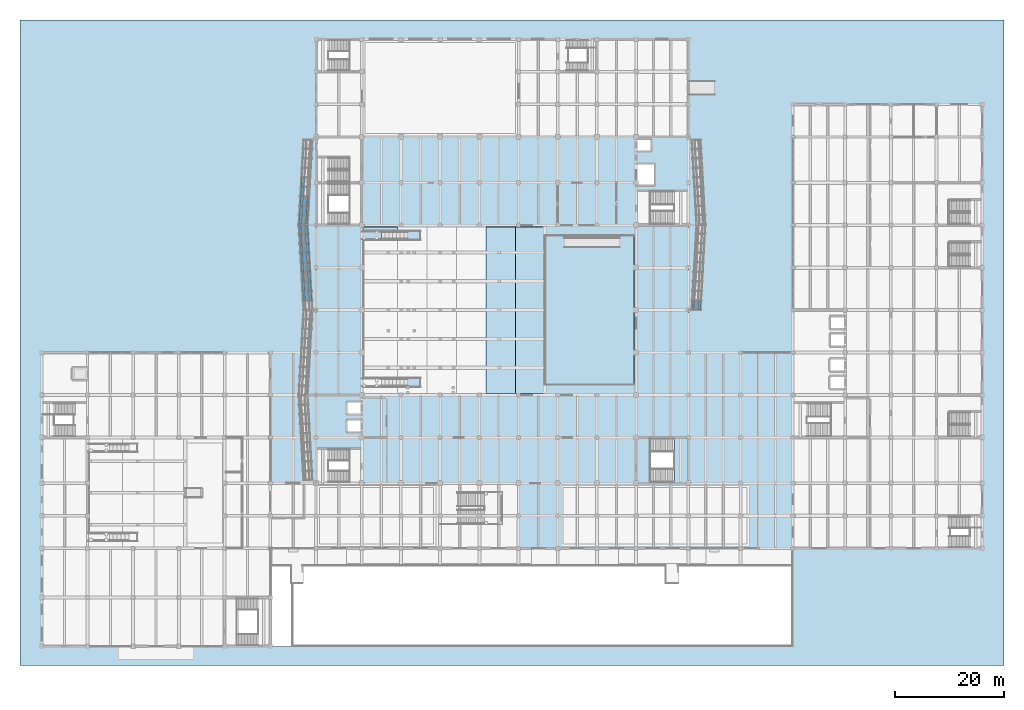
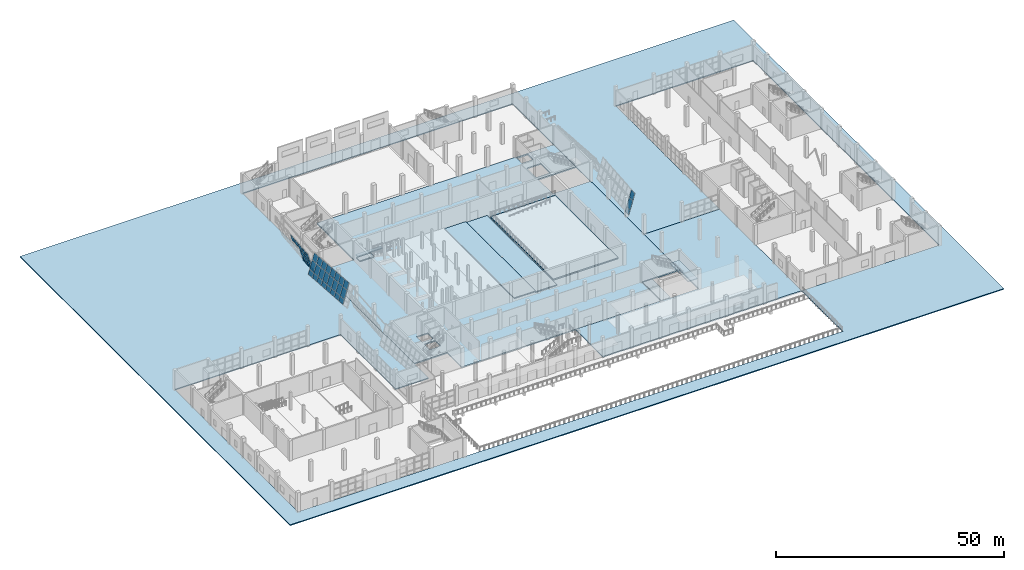
# One storey, part 50 of 78: 38 plates, 10 slabs, 4 elements without a shape of their own.
"""IFC4 building model written with IfcOpenShell, lengths in metres."""

from ifc_helpers import new_model, si_unit, direction, frame, origin, place, context, subcontext, project, spatial, polyline, outline, extrude, material, layer, layer_set, type_object, element, aggregate, save


model = new_model("IFC4")

# Units and contexts
model_context = context("Model", 3, precision=1e-05, world=origin(), true_north=direction((0.0, 1.0)))
body_context = subcontext(model_context, "Body", "Model", "MODEL_VIEW")
ifc_project = project(units=[si_unit("LENGTHUNIT", "METRE"), si_unit("AREAUNIT", "SQUARE_METRE"), si_unit("VOLUMEUNIT", "CUBIC_METRE"), si_unit("PLANEANGLEUNIT", "RADIAN"), si_unit("MASSUNIT", "GRAM", prefix="KILO")], contexts=[model_context])

# Site, building, storey
site_placement = place(None, origin())
site = spatial("IfcSite", under=ifc_project, at=site_placement, CompositionType="ELEMENT")
building_placement = place(site_placement, origin())
building = spatial("IfcBuilding", under=site, at=building_placement, Name="Pellamere Symphony Hall", CompositionType="ELEMENT")
storey_placement = place(building_placement, origin())
storey = spatial("IfcBuildingStorey", under=building, at=storey_placement, Name="L00", CompositionType="ELEMENT", Elevation=0.0)

# Curtain wall, plates
ifc_material_1 = material(Name="Thermally Broken Anodised Aluminium 6063-T6 Curtain Wall", Category="aluminium")
curtain_wall_type = type_object("IfcCurtainWallType", Name="Curtain Wall CW-01 (Tilted Faceted Crystal Low-Iron Curtain Wall)", PredefinedType="NOTDEFINED", material=ifc_material_1)
curtain_wall_1_placement = place(storey_placement, origin())
curtain_wall_1 = element("IfcCurtainWall", 1, at=curtain_wall_1_placement, inside=storey, type_object=curtain_wall_type, Name="Crystal Faceted Curtain Wall CW-CR08 (L00)", PredefinedType="NOTDEFINED")
ifc_material_2 = material(Name="Pre-Weathered Quartz-Zinc Faceted Cladding Cassette", Category="aluminium")
ifc_layer_1 = layer(ifc_material_2, 0.0400390625, Name="Pre-Weathered Quartz-Zinc Faceted Cladding Cassette")
ifc_layer_set_1 = layer_set([ifc_layer_1], Name="Pre-Weathered Quartz-Zinc Faceted Cladding Cassette")
plate_type_1 = type_object("IfcPlateType", Name="Facade Panel CL-01 40mm", PredefinedType="CURTAIN_PANEL", material=ifc_layer_set_1)
plate_1_placement = place(storey_placement, frame((119.4755859375, 61.874755859375, 0.072021484375), z_axis=(-0.957343342759, 0.054840338061, 0.28370100704), x_axis=(0.057190120561, 0.998363305671, 0.0)))
plate_1 = element("IfcPlate", 2, at=plate_1_placement, type_object=plate_type_1, Name="CW1-012 crystal glass panel 1.1", PredefinedType="CURTAIN_PANEL", context=body_context, shape_type="SweptSolid", body=[
    extrude(outline(polyline([(0.0, 0.0), (1.6350002143288105, 3.469446951953614e-18), (1.6551340409521513, -1.2388908499103406), (0.020133826623340848, -1.2388908499103406), (0.0, 0.0)])), origin(), (0.0, 0.0, -1.0), 0.0400390625),
])
plate_2_placement = place(storey_placement, frame((119.848876953125, 61.874755859375, 1.33203125), z_axis=(-0.957371256991, 0.054913532315, 0.283592630823), x_axis=(0.057258551727, 0.99835938311, -2.0270645e-05)))
plate_2 = element("IfcPlate", 3, at=plate_2_placement, type_object=plate_type_1, Name="CW1-012 crystal glass panel 1.2", PredefinedType="CURTAIN_PANEL", context=body_context, shape_type="SweptSolid", body=[
    extrude(outline(polyline([(0.0, 0.0), (1.635000210152112, 0.0), (1.6722100992879436, -2.2900991916564593), (0.03719590999722637, -2.290030068493106), (0.0, 0.0)])), origin(), (0.0, 0.0, -1.0), 0.0400390625),
])
plate_3_placement = place(storey_placement, frame((120.520751953125, 61.874755859375, 3.599853515625), z_axis=(-0.957387494247, 0.054914463662, 0.283537629847), x_axis=(0.057258554048, 0.998359382977, -2.0267057e-05)))
plate_3 = element("IfcPlate", 4, at=plate_3_placement, type_object=plate_type_1, Name="CW1-012 crystal glass panel 1.3", PredefinedType="CURTAIN_PANEL", context=body_context, shape_type="SweptSolid", body=[
    extrude(outline(polyline([(0.0, 0.0), (1.6350002101519705, 0.0), (1.6642794380181356, -1.802268303621346), (0.029265248726993043, -1.8021991938639879), (0.0, 0.0)])), origin(), (0.0, 0.0, -1.0), 0.0400390625),
])
aggregate(curtain_wall_1, [plate_1, plate_2, plate_3])

curtain_wall_2_placement = place(storey_placement, origin())
curtain_wall_2 = element("IfcCurtainWall", 5, at=curtain_wall_2_placement, inside=storey, type_object=curtain_wall_type, Name="Crystal Faceted Curtain Wall CW-CR16 (L00)", PredefinedType="NOTDEFINED")
plate_4_placement = place(storey_placement, frame((47.27587890625, 77.425048828125, 0.072021484375), z_axis=(-0.957365863308, -0.054921437334, 0.283609307842), x_axis=(0.057279061059, -0.998358206634, 2.0274572e-05)))
plate_4 = element("IfcPlate", 6, at=plate_4_placement, type_object=plate_type_1, Name="CW1-042 crystal glass panel 1.1", PredefinedType="CURTAIN_PANEL", context=body_context, shape_type="SweptSolid", body=[
    extrude(outline(polyline([(0.0, 0.0), (1.634770451853977, 0.0), (1.6549456918571466, 1.2388208162637326), (0.020189224148935928, 1.2388899428668707), (0.0, 0.0)])), origin(), (0.0, 0.0, -1.0), 0.0400390625),
])
plate_5_placement = place(storey_placement, frame((47.649169921875, 77.425048828125, 1.33203125), z_axis=(-0.957370825104, -0.054921721979, 0.283592502889), x_axis=(0.057279060349, -0.998358206675, 2.0273476e-05)))
plate_5 = element("IfcPlate", 7, at=plate_5_placement, type_object=plate_type_1, Name="CW1-042 crystal glass panel 1.2", PredefinedType="CURTAIN_PANEL", context=body_context, shape_type="SweptSolid", body=[
    extrude(outline(polyline([(0.0, 0.0), (1.6347704518539337, 3.469446951953614e-18), (1.6720687371773522, 2.2900284033686145), (0.03731226946901164, 2.290097525875733), (0.0, 0.0)])), origin(), (0.0, 0.0, -1.0), 0.0400390625),
])
plate_6_placement = place(storey_placement, frame((48.321044921875, 77.425048828125, 3.599853515625), z_axis=(-0.957372467052, -0.054850210154, 0.283600800029), x_axis=(0.057198647566, -0.998362817175, 0.0)))
plate_6 = element("IfcPlate", 8, at=plate_6_placement, type_object=plate_type_1, Name="CW1-042 crystal glass panel 1.3", PredefinedType="CURTAIN_PANEL", context=body_context, shape_type="SweptSolid", body=[
    extrude(outline(polyline([(0.0, 0.0), (1.6347564733470132, -3.469446951953614e-18), (1.6640400582946764, 1.8022682366211433), (0.029283584947663317, 1.8022682366211433), (0.0, 0.0)])), origin(), (0.0, 0.0, -1.0), 0.0400390625),
])
plate_7_placement = place(storey_placement, frame((47.373779296875, 75.718017578125, 0.072021484375), z_axis=(-0.957341189414, -0.054881214719, 0.283700368914), x_axis=(0.057232737422, -0.998360863499, 0.0)))
plate_7 = element("IfcPlate", 9, at=plate_7_placement, type_object=plate_type_1, Name="CW1-042 crystal glass panel 2.1", PredefinedType="CURTAIN_PANEL", context=body_context, shape_type="SweptSolid", body=[
    extrude(outline(polyline([(0.0, 0.0), (1.6721745160346768, 0.0), (1.6923233459571738, 1.2388906059934504), (0.020148829922496985, 1.2388906059934504), (0.0, 0.0)])), origin(), (0.0, 0.0, -1.0), 0.0400390625),
])
plate_8_placement = place(storey_placement, frame((47.7470703125, 75.718017578125, 1.33203125), z_axis=(-0.957358415289, -0.054882202222, 0.283642042996), x_axis=(0.057232737422, -0.998360863499, 0.0)))
plate_8 = element("IfcPlate", 10, at=plate_8_placement, type_object=plate_type_1, Name="CW1-042 crystal glass panel 2.2", PredefinedType="CURTAIN_PANEL", context=body_context, shape_type="SweptSolid", body=[
    extrude(outline(polyline([(0.0, 0.0), (1.6721745160346768, 0.0), (1.7094121247333276, 2.2900987440787963), (0.03723760869865081, 2.2900987440787963), (0.0, 0.0)])), origin(), (0.0, 0.0, -1.0), 0.0400390625),
])
plate_9_placement = place(storey_placement, frame((48.4189453125, 75.718017578125, 3.599853515625), z_axis=(-0.957370744271, -0.054882909002, 0.283600289693), x_axis=(0.057232737422, -0.998360863499, 0.0)))
plate_9 = element("IfcPlate", 11, at=plate_9_placement, type_object=plate_type_1, Name="CW1-042 crystal glass panel 2.3", PredefinedType="CURTAIN_PANEL", context=body_context, shape_type="SweptSolid", body=[
    extrude(outline(polyline([(0.0, 0.0), (1.6721745160346768, 3.469446951953614e-18), (1.7014755537236341, 1.8022679529612744), (0.029301037688957126, 1.8022679529612744), (0.0, 0.0)])), origin(), (0.0, 0.0, -1.0), 0.0400390625),
])
plate_10_placement = place(storey_placement, frame((47.473876953125, 73.9736328125, 0.072021484375), z_axis=(-0.9573946098, -0.054884277134, 0.283519447744), x_axis=(0.057232737422, -0.998360863499, 0.0)))
plate_10 = element("IfcPlate", 12, at=plate_10_placement, type_object=plate_type_1, Name="CW1-042 crystal glass panel 3.1", PredefinedType="CURTAIN_PANEL", context=body_context, shape_type="SweptSolid", body=[
    extrude(outline(polyline([(0.0, 0.0), (1.6721745160346768, 0.0), (1.6923093731208891, 1.2388214787875187), (0.020134857086212314, 1.2388214787875187), (0.0, 0.0)])), origin(), (0.0, 0.0, -1.0), 0.0400390625),
])
plate_11_placement = place(storey_placement, frame((47.84716796875, 73.9736328125, 1.33203125), z_axis=(-0.957387312553, -0.054883858807, 0.283544169054), x_axis=(0.057232737422, -0.998360863499, 0.0)))
plate_11 = element("IfcPlate", 13, at=plate_11_placement, type_object=plate_type_1, Name="CW1-042 crystal glass panel 3.2", PredefinedType="CURTAIN_PANEL", context=body_context, shape_type="SweptSolid", body=[
    extrude(outline(polyline([(0.0, 0.0), (1.6721745160346768, 3.469446951953614e-18), (1.7093981518970431, 2.2900296209687006), (0.037223635862366135, 2.2900296209687006), (0.0, 0.0)])), origin(), (0.0, 0.0, -1.0), 0.0400390625),
])
plate_12_placement = place(storey_placement, frame((48.51904296875, 73.9736328125, 3.599853515625), z_axis=(-0.957407456984, -0.054885013621, 0.283475918892), x_axis=(0.057232737422, -0.998360863499, 0.0)))
plate_12 = element("IfcPlate", 14, at=plate_12_placement, type_object=plate_type_1, Name="CW1-042 crystal glass panel 3.3", PredefinedType="CURTAIN_PANEL", context=body_context, shape_type="SweptSolid", body=[
    extrude(outline(polyline([(0.0, 0.0), (1.6721745160346768, 0.0), (1.7014615808873494, 1.8021988432572154), (0.029287064852672455, 1.8021988432572154), (0.0, 0.0)])), origin(), (0.0, 0.0, -1.0), 0.0400390625),
])
plate_13_placement = place(storey_placement, frame((47.57373046875, 72.229248046875, 0.072021484375), z_axis=(-0.957341611004, -0.054873214141, 0.283700493849), x_axis=(0.057224396245, -0.998361341637, 0.0)))
plate_13 = element("IfcPlate", 15, at=plate_13_placement, type_object=plate_type_1, Name="CW1-042 crystal glass panel 4.1", PredefinedType="CURTAIN_PANEL", context=body_context, shape_type="SweptSolid", body=[
    extrude(outline(polyline([(0.0, 0.0), (1.6724182565382377, 0.0), (1.6925641499429516, 1.2388906537483406), (0.020145893404713663, 1.2388906537483406), (0.0, 0.0)])), origin(), (0.0, 0.0, -1.0), 0.0400390625),
])
plate_14_placement = place(storey_placement, frame((47.947021484375, 72.229248046875, 1.33203125), z_axis=(-0.957358836902, -0.054874201501, 0.283642167909), x_axis=(0.057224396245, -0.998361341637, 0.0)))
plate_14 = element("IfcPlate", 16, at=plate_14_placement, type_object=plate_type_1, Name="CW1-042 crystal glass panel 4.2", PredefinedType="CURTAIN_PANEL", context=body_context, shape_type="SweptSolid", body=[
    extrude(outline(polyline([(0.0, 0.0), (1.6724182565382377, 0.0), (1.7096504381773239, 2.2900988323177818), (0.03723218163908593, 2.2900988323177818), (0.0, 0.0)])), origin(), (0.0, 0.0, -1.0), 0.0400390625),
])
plate_15_placement = place(storey_placement, frame((48.618896484375, 72.229248046875, 3.599853515625), z_axis=(-0.9573711659, -0.054874908178, 0.283600414591), x_axis=(0.057224396245, -0.998361341637, 0.0)))
plate_15 = element("IfcPlate", 17, at=plate_15_placement, type_object=plate_type_1, Name="CW1-042 crystal glass panel 4.3", PredefinedType="CURTAIN_PANEL", context=body_context, shape_type="SweptSolid", body=[
    extrude(outline(polyline([(0.0, 0.0), (1.6724182565382377, 0.0), (1.7017150238542464, 1.8022680223833807), (0.029296767316008707, 1.8022680223833807), (0.0, 0.0)])), origin(), (0.0, 0.0, -1.0), 0.0400390625),
])
plate_16_placement = place(storey_placement, frame((47.673828125, 70.48486328125, 0.072021484375), z_axis=(-0.957341611004, -0.054873214141, 0.283700493849), x_axis=(0.057224396245, -0.998361341637, 0.0)))
plate_16 = element("IfcPlate", 18, at=plate_16_placement, type_object=plate_type_1, Name="CW1-042 crystal glass panel 5.1", PredefinedType="CURTAIN_PANEL", context=body_context, shape_type="SweptSolid", body=[
    extrude(outline(polyline([(0.0, 0.0), (1.6724182565382377, 0.0), (1.6925641499429516, 1.2388906537483406), (0.020145893404713663, 1.2388906537483406), (0.0, 0.0)])), origin(), (0.0, 0.0, -1.0), 0.0400390625),
])
plate_17_placement = place(storey_placement, frame((48.047119140625, 70.48486328125, 1.33203125), z_axis=(-0.957369607078, -0.054944812221, 0.283592142086), x_axis=(0.057291296125, -0.998357504602, -1.9817049e-05)))
plate_17 = element("IfcPlate", 19, at=plate_17_placement, type_object=plate_type_1, Name="CW1-042 crystal glass panel 5.2", PredefinedType="CURTAIN_PANEL", context=body_context, shape_type="SweptSolid", body=[
    extrude(outline(polyline([(0.0, 0.0), (1.6724182524550018, 6.938893903907228e-18), (1.709650442351463, 2.2900988292016202), (0.037218202763618057, 2.2900297062933825), (0.0, 0.0)])), origin(), (0.0, 0.0, -1.0), 0.0400390625),
])
plate_18_placement = place(storey_placement, frame((48.718994140625, 70.48486328125, 3.599853515625), z_axis=(-0.9573711659, -0.054874908178, 0.283600414591), x_axis=(0.057224396245, -0.998361341637, 0.0)))
plate_18 = element("IfcPlate", 20, at=plate_18_placement, type_object=plate_type_1, Name="CW1-042 crystal glass panel 5.3", PredefinedType="CURTAIN_PANEL", context=body_context, shape_type="SweptSolid", body=[
    extrude(outline(polyline([(0.0, 0.0), (1.6724182565382377, 0.0), (1.7017150238542464, 1.8022680223833807), (0.029296767316008707, 1.8022680223833807), (0.0, 0.0)])), origin(), (0.0, 0.0, -1.0), 0.0400390625),
])
plate_19_placement = place(storey_placement, frame((47.77392578125, 68.740234375, 0.072021484375), z_axis=(-0.9573946098, -0.054884277134, 0.283519447744), x_axis=(0.057232737422, -0.998360863499, 0.0)))
plate_19 = element("IfcPlate", 21, at=plate_19_placement, type_object=plate_type_1, Name="CW1-042 crystal glass panel 6.1", PredefinedType="CURTAIN_PANEL", context=body_context, shape_type="SweptSolid", body=[
    extrude(outline(polyline([(0.0, 0.0), (1.6721745160346768, 0.0), (1.6923093731208891, 1.2388214787875187), (0.020134857086212314, 1.2388214787875187), (0.0, 0.0)])), origin(), (0.0, 0.0, -1.0), 0.0400390625),
])
plate_20_placement = place(storey_placement, frame((48.147216796875, 68.740234375, 1.33203125), z_axis=(-0.957387312553, -0.054883858807, 0.283544169054), x_axis=(0.057232737422, -0.998360863499, 0.0)))
plate_20 = element("IfcPlate", 22, at=plate_20_placement, type_object=plate_type_1, Name="CW1-042 crystal glass panel 6.2", PredefinedType="CURTAIN_PANEL", context=body_context, shape_type="SweptSolid", body=[
    extrude(outline(polyline([(0.0, 0.0), (1.6721745160346768, 3.469446951953614e-18), (1.7093981518970431, 2.2900296209687006), (0.037223635862366135, 2.2900296209687006), (0.0, 0.0)])), origin(), (0.0, 0.0, -1.0), 0.0400390625),
])
plate_21_placement = place(storey_placement, frame((48.81884765625, 68.740234375, 3.599853515625), z_axis=(-0.957370744271, -0.054882909002, 0.283600289693), x_axis=(0.057232737422, -0.998360863499, 0.0)))
plate_21 = element("IfcPlate", 23, at=plate_21_placement, type_object=plate_type_1, Name="CW1-042 crystal glass panel 6.3", PredefinedType="CURTAIN_PANEL", context=body_context, shape_type="SweptSolid", body=[
    extrude(outline(polyline([(0.0, 0.0), (1.6721745160346768, 3.469446951953614e-18), (1.7014755537236341, 1.8022679529612744), (0.029301037688957126, 1.8022679529612744), (0.0, 0.0)])), origin(), (0.0, 0.0, -1.0), 0.0400390625),
])
plate_22_placement = place(storey_placement, frame((47.873779296875, 66.995849609375, 0.072021484375), z_axis=(-0.957341189414, -0.054881214719, 0.283700368914), x_axis=(0.057232737422, -0.998360863499, 0.0)))
plate_22 = element("IfcPlate", 24, at=plate_22_placement, type_object=plate_type_1, Name="CW1-042 crystal glass panel 7.1", PredefinedType="CURTAIN_PANEL", context=body_context, shape_type="SweptSolid", body=[
    extrude(outline(polyline([(0.0, 0.0), (1.6721745160346768, 0.0), (1.6923233459571738, 1.2388906059934504), (0.020148829922496985, 1.2388906059934504), (0.0, 0.0)])), origin(), (0.0, 0.0, -1.0), 0.0400390625),
])
plate_23_placement = place(storey_placement, frame((48.2470703125, 66.995849609375, 1.33203125), z_axis=(-0.957358415289, -0.054882202222, 0.283642042996), x_axis=(0.057232737422, -0.998360863499, 0.0)))
plate_23 = element("IfcPlate", 25, at=plate_23_placement, type_object=plate_type_1, Name="CW1-042 crystal glass panel 7.2", PredefinedType="CURTAIN_PANEL", context=body_context, shape_type="SweptSolid", body=[
    extrude(outline(polyline([(0.0, 0.0), (1.6721745160346768, 0.0), (1.7094121247333276, 2.2900987440787963), (0.03723760869865081, 2.2900987440787963), (0.0, 0.0)])), origin(), (0.0, 0.0, -1.0), 0.0400390625),
])
plate_24_placement = place(storey_placement, frame((48.9189453125, 66.995849609375, 3.599853515625), z_axis=(-0.957370744271, -0.054882909002, 0.283600289693), x_axis=(0.057232737422, -0.998360863499, 0.0)))
plate_24 = element("IfcPlate", 26, at=plate_24_placement, type_object=plate_type_1, Name="CW1-042 crystal glass panel 7.3", PredefinedType="CURTAIN_PANEL", context=body_context, shape_type="SweptSolid", body=[
    extrude(outline(polyline([(0.0, 0.0), (1.6721745160346768, 3.469446951953614e-18), (1.7014755537236341, 1.8022679529612744), (0.029301037688957126, 1.8022679529612744), (0.0, 0.0)])), origin(), (0.0, 0.0, -1.0), 0.0400390625),
])
plate_25_placement = place(storey_placement, frame((47.973876953125, 65.25146484375, 0.072021484375), z_axis=(-0.957395031461, -0.054876276112, 0.283519572613), x_axis=(0.057224396245, -0.998361341637, 0.0)))
plate_25 = element("IfcPlate", 27, at=plate_25_placement, type_object=plate_type_1, Name="CW1-042 crystal glass panel 8.1", PredefinedType="CURTAIN_PANEL", context=body_context, shape_type="SweptSolid", body=[
    extrude(outline(polyline([(0.0, 0.0), (1.6724182565382377, -3.469446951953614e-18), (1.692550179143087, 1.238821526478859), (0.02013192260484909, 1.238821526478859), (0.0, 0.0)])), origin(), (0.0, 0.0, -1.0), 0.0400390625),
])
plate_26_placement = place(storey_placement, frame((48.34716796875, 65.25146484375, 1.33203125), z_axis=(-0.957387734204, -0.054875857846, 0.283544293932), x_axis=(0.057224396245, -0.998361341637, 0.0)))
plate_26 = element("IfcPlate", 28, at=plate_26_placement, type_object=plate_type_1, Name="CW1-042 crystal glass panel 8.2", PredefinedType="CURTAIN_PANEL", context=body_context, shape_type="SweptSolid", body=[
    extrude(outline(polyline([(0.0, 0.0), (1.6724182565382377, 0.0), (1.7096364673774591, 2.2900297091441395), (0.03721821083922136, 2.2900297091441395), (0.0, 0.0)])), origin(), (0.0, 0.0, -1.0), 0.0400390625),
])
plate_27_placement = place(storey_placement, frame((49.01904296875, 65.25146484375, 3.599853515625), z_axis=(-0.957407878661, -0.054877012492, 0.283476043745), x_axis=(0.057224396245, -0.998361341637, 0.0)))
plate_27 = element("IfcPlate", 29, at=plate_27_placement, type_object=plate_type_1, Name="CW1-042 crystal glass panel 8.3", PredefinedType="CURTAIN_PANEL", context=body_context, shape_type="SweptSolid", body=[
    extrude(outline(polyline([(0.0, 0.0), (1.6724182565382377, 0.0), (1.701701053054382, 1.8021989126157862), (0.029282796516144134, 1.8021989126157862), (0.0, 0.0)])), origin(), (0.0, 0.0, -1.0), 0.0400390625),
])
aggregate(curtain_wall_2, [plate_4, plate_5, plate_6, plate_7, plate_8, plate_9, plate_10, plate_11, plate_12, plate_13, plate_14, plate_15, plate_16, plate_17, plate_18, plate_19, plate_20, plate_21, plate_22, plate_23, plate_24, plate_25, plate_26, plate_27])

curtain_wall_3_placement = place(storey_placement, origin())
curtain_wall_3 = element("IfcCurtainWall", 30, at=curtain_wall_3_placement, inside=storey, type_object=curtain_wall_type, Name="Crystal Faceted Curtain Wall CW-CR15 (L00)", PredefinedType="NOTDEFINED")
ifc_material_3 = material(Name="Triple Laminated Acoustic Crystal Glazing 42mm", Category="glass")
ifc_layer_2 = layer(ifc_material_3, 0.0419921875, Name="Triple Laminated Acoustic Crystal Glazing 42mm")
ifc_layer_set_2 = layer_set([ifc_layer_2], Name="Triple Laminated Acoustic Crystal Glazing 42mm")
plate_type_2 = type_object("IfcPlateType", Name="Facade Panel GL-02 42mm", PredefinedType="CURTAIN_PANEL", material=ifc_layer_set_2)
plate_28_placement = place(storey_placement, frame((48.281494140625, 86.129150390625, 3.599853515625), z_axis=(0.957351578409, -0.055245372992, 0.283594612222), x_axis=(-0.057610619545, -0.998339129012, 0.0)))
plate_28 = element("IfcPlate", 31, at=plate_28_placement, type_object=plate_type_2, Name="CW1-037 crystal glass panel 5.3", PredefinedType="CURTAIN_PANEL", context=body_context, shape_type="SweptSolid", body=[
    extrude(outline(polyline([(0.0, 0.0), (1.6612063149993754, 3.469446951953614e-18), (1.6907008143125835, -1.8022647973011996), (0.029494499313207894, -1.8022647973011996), (0.0, 0.0)])), origin(), (0.0, 0.0, -1.0), 0.0419921875),
])
plate_29_placement = place(storey_placement, frame((48.181396484375, 84.39599609375, 3.599853515625), z_axis=(0.957373660078, -0.055176179585, 0.283533532752), x_axis=(-0.057543267853, -0.998343013161, 1.9946761e-05)))
plate_29 = element("IfcPlate", 32, at=plate_29_placement, type_object=plate_type_2, Name="CW1-037 crystal glass panel 6.3", PredefinedType="CURTAIN_PANEL", context=body_context, shape_type="SweptSolid", body=[
    extrude(outline(polyline([(0.0, 0.0), (1.6612063108885458, 0.0), (1.6906867534037033, -1.8021956865603042), (0.029494491164535574, -1.8022647936454688), (0.0, 0.0)])), origin(), (0.0, 0.0, -1.0), 0.0419921875),
])
plate_30_placement = place(storey_placement, frame((49.12646484375, 82.66259765625, 0.072021484375), z_axis=(0.957375442505, -0.055246750105, 0.283513771609), x_axis=(-0.057610619545, -0.998339129012, 0.0)))
plate_30 = element("IfcPlate", 33, at=plate_30_placement, type_object=plate_type_2, Name="CW1-037 crystal glass panel 7.1", PredefinedType="CURTAIN_PANEL", context=body_context, shape_type="SweptSolid", body=[
    extrude(outline(polyline([(0.0, 0.0), (1.6612063149993754, 0.0), (1.6814741135260005, -1.238819310923938), (0.020267798526624976, -1.238819310923938), (0.0, 0.0)])), origin(), (0.0, 0.0, -1.0), 0.0419921875),
])
plate_31_placement = place(storey_placement, frame((48.753173828125, 82.66259765625, 1.33203125), z_axis=(0.957357423525, -0.055175243826, 0.283588533072), x_axis=(-0.05753148986, -0.99834369196, -1.9950461e-05)))
plate_31 = element("IfcPlate", 34, at=plate_31_placement, type_object=plate_type_2, Name="CW1-037 crystal glass panel 7.2", PredefinedType="CURTAIN_PANEL", context=body_context, shape_type="SweptSolid", body=[
    extrude(outline(polyline([(0.0, 0.0), (1.6611922636767658, -3.469446951953614e-18), (1.6985804389898211, -2.2900962878932027), (0.03737412953916368, -2.2900271668180374), (0.0, 0.0)])), origin(), (0.0, 0.0, -1.0), 0.0419921875),
])
plate_32_placement = place(storey_placement, frame((48.08154296875, 82.66259765625, 3.599853515625), z_axis=(0.957351578409, -0.055245372992, 0.283594612222), x_axis=(-0.057610619545, -0.998339129012, 0.0)))
plate_32 = element("IfcPlate", 35, at=plate_32_placement, type_object=plate_type_2, Name="CW1-037 crystal glass panel 7.3", PredefinedType="CURTAIN_PANEL", context=body_context, shape_type="SweptSolid", body=[
    extrude(outline(polyline([(0.0, 0.0), (1.6612063149993754, 3.469446951953614e-18), (1.6907008143125835, -1.8022647973011996), (0.029494499313207894, -1.8022647973011996), (0.0, 0.0)])), origin(), (0.0, 0.0, -1.0), 0.0419921875),
])
plate_33_placement = place(storey_placement, frame((49.026611328125, 80.92919921875, 0.072021484375), z_axis=(0.957322025327, -0.055243667588, 0.283694689791), x_axis=(-0.057610619545, -0.998339129012, 0.0)))
plate_33 = element("IfcPlate", 36, at=plate_33_placement, type_object=plate_type_2, Name="CW1-037 crystal glass panel 8.1", PredefinedType="CURTAIN_PANEL", context=body_context, shape_type="SweptSolid", body=[
    extrude(outline(polyline([(0.0, 0.0), (1.6612063149993754, 0.0), (1.681488178618663, -1.238888435241121), (0.02028186361928745, -1.238888435241121), (0.0, 0.0)])), origin(), (0.0, 0.0, -1.0), 0.0419921875),
])
plate_34_placement = place(storey_placement, frame((48.6533203125, 80.92919921875, 1.33203125), z_axis=(0.957339250167, -0.055244661573, 0.283636364836), x_axis=(-0.057610619545, -0.998339129012, 0.0)))
plate_34 = element("IfcPlate", 37, at=plate_34_placement, type_object=plate_type_2, Name="CW1-037 crystal glass panel 8.2", PredefinedType="CURTAIN_PANEL", context=body_context, shape_type="SweptSolid", body=[
    extrude(outline(polyline([(0.0, 0.0), (1.6612063149993754, -3.469446951953614e-18), (1.6986897869448687, -2.2900947330762946), (0.037483471945493105, -2.2900947330762946), (0.0, 0.0)])), origin(), (0.0, 0.0, -1.0), 0.0419921875),
])
plate_35_placement = place(storey_placement, frame((47.9814453125, 80.92919921875, 3.599853515625), z_axis=(0.957351578409, -0.055245372992, 0.283594612222), x_axis=(-0.057610619545, -0.998339129012, 0.0)))
plate_35 = element("IfcPlate", 38, at=plate_35_placement, type_object=plate_type_2, Name="CW1-037 crystal glass panel 8.3", PredefinedType="CURTAIN_PANEL", context=body_context, shape_type="SweptSolid", body=[
    extrude(outline(polyline([(0.0, 0.0), (1.6612063149993754, 3.469446951953614e-18), (1.6907008143125835, -1.8022647973011996), (0.029494499313207894, -1.8022647973011996), (0.0, 0.0)])), origin(), (0.0, 0.0, -1.0), 0.0419921875),
])
plate_36_placement = place(storey_placement, frame((48.926513671875, 79.19580078125, 0.072021484375), z_axis=(0.957345786013, -0.055300814722, 0.28360336016), x_axis=(-0.057662563211, -0.998336129962, -2.0413904e-05)))
plate_36 = element("IfcPlate", 39, at=plate_36_placement, type_object=plate_type_2, Name="CW1-037 crystal glass panel 9.1", PredefinedType="CURTAIN_PANEL", context=body_context, shape_type="SweptSolid", body=[
    extrude(outline(polyline([(0.0, 0.0), (1.6235445138004287, 0.0), (1.6438204127497231, -1.2388885273626455), (0.020261821175072896, -1.238819403190299), (0.0, 0.0)])), origin(), (0.0, 0.0, -1.0), 0.0419921875),
])
plate_37_placement = place(storey_placement, frame((48.55322265625, 79.19580078125, 1.33203125), z_axis=(0.957369008992, -0.055230054292, 0.283538748188), x_axis=(-0.057593652861, -0.998340107954, 0.0)))
plate_37 = element("IfcPlate", 40, at=plate_37_placement, type_object=plate_type_2, Name="CW1-037 crystal glass panel 9.2", PredefinedType="CURTAIN_PANEL", context=body_context, shape_type="SweptSolid", body=[
    extrude(outline(polyline([(0.0, 0.0), (1.6235445180063734, 3.469446951953614e-18), (1.6610028898868971, -2.2900257933824513), (0.03745837188052372, -2.2900257933824513), (0.0, 0.0)])), origin(), (0.0, 0.0, -1.0), 0.0419921875),
])
plate_38_placement = place(storey_placement, frame((47.88134765625, 79.19580078125, 3.599853515625), z_axis=(0.957389152267, -0.055231216346, 0.283470499103), x_axis=(-0.057593652861, -0.998340107954, 0.0)))
plate_38 = element("IfcPlate", 41, at=plate_38_placement, type_object=plate_type_2, Name="CW1-037 crystal glass panel 9.3", PredefinedType="CURTAIN_PANEL", context=body_context, shape_type="SweptSolid", body=[
    extrude(outline(polyline([(0.0, 0.0), (1.6235445180063734, 6.938893903907228e-18), (1.6530162700565152, -1.802195832487808), (0.029471752050141783, -1.802195832487808), (0.0, 0.0)])), origin(), (0.0, 0.0, -1.0), 0.0419921875),
])
aggregate(curtain_wall_3, [plate_28, plate_29, plate_30, plate_31, plate_32, plate_33, plate_34, plate_35, plate_36, plate_37, plate_38])

# Stair, slabs
ifc_material_4 = material(Name="Concrete 40 MPa", Category="concrete")
stair_type = type_object("IfcStairType", Name="Stair ST-A W2400", PredefinedType="HALF_TURN_STAIR", material=ifc_material_4)
stair_placement = place(storey_placement, origin())
stair = element("IfcStair", 42, at=stair_placement, inside=storey, type_object=stair_type, Name="Exit Stair ST08-L00 (L00 to L01)", PredefinedType="HALF_TURN_STAIR")
ifc_layer_3 = layer(ifc_material_4, 0.219970703125, Name="Concrete 40 MPa")
ifc_layer_set_3 = layer_set([ifc_layer_3], Name="Concrete 40 MPa")
slab_type_1 = type_object("IfcSlabType", Name="Stair Landing SL-01 220mm", PredefinedType="LANDING", material=ifc_layer_set_3)
slab_1_placement = place(storey_placement, frame((0.0, 0.0, -0.219970703125)))
slab_1 = element("IfcSlab", 43, at=slab_1_placement, type_object=slab_type_1, Name="Stair ST08-L00 Bottom Landing (L00)", PredefinedType="LANDING", context=body_context, shape_type="SweptSolid", body=[
    extrude(outline(polyline([(109.360107421875, 30.159912109375), (111.77490234375, 30.159912109375), (111.77490234375, 38.239990234375), (109.360107421875, 38.239990234375), (109.360107421875, 30.159912109375)])), origin(), (0.0, 0.0, 1.0), 0.219970703125),
])
slab_2_placement = place(storey_placement, frame((0.0, 0.0, 2.47998046875)))
slab_2 = element("IfcSlab", 44, at=slab_2_placement, type_object=slab_type_1, Name="Stair ST08-L00 Half Landing (L00)", PredefinedType="LANDING", context=body_context, shape_type="SweptSolid", body=[
    extrude(outline(polyline([(116.22509765625, 30.159912109375), (118.639892578125, 30.159912109375), (118.639892578125, 38.239990234375), (116.22509765625, 38.239990234375), (116.22509765625, 30.159912109375)])), origin(), (0.0, 0.0, 1.0), 0.219970703125),
])
aggregate(stair, [slab_1, slab_2])

# Slabs
slab_3_placement = place(storey_placement, frame((0.0, 0.0, 1.030029296875)))
element("IfcSlab", 45, at=slab_3_placement, inside=storey, type_object=slab_type_1, Name="Vomitory VOM-02 Upper Arrival Platform", PredefinedType="LANDING", context=body_context, shape_type="SweptSolid", body=[
    extrude(outline(polyline([(58.800048828125, 74.75), (62.39990234375, 74.75), (62.39990234375, 76.25), (58.800048828125, 76.25), (58.800048828125, 74.75)])), origin(), (0.0, 0.0, 1.0), 0.219970703125),
])
ifc_material_5 = material(Name="Concrete 35 MPa", Category="concrete")
ifc_layer_4 = layer(ifc_material_5, 0.25, Name="Concrete 35 MPa")
ifc_layer_set_4 = layer_set([ifc_layer_4], Name="Concrete 35 MPa")
slab_type_2 = type_object("IfcSlabType", Name="Structural Slab AP-01 250mm", PredefinedType="USERDEFINED", material=ifc_layer_set_4)
slab_4_placement = place(storey_placement, frame((0.0, 0.0, -0.25)))
element("IfcSlab", 46, at=slab_4_placement, inside=storey, type_object=slab_type_2, Name="Outdoor Forecourt Paving and Loading Apron 1", ObjectType="PAVING DECK", PredefinedType="USERDEFINED", context=body_context, shape_type="SweptSolid", body=[
    extrude(outline(polyline([(-4.0, 115.10009765625), (176.800048828125, 115.10009765625), (176.800048828125, -3.5), (-4.0, -3.5), (-4.0, 115.10009765625)]), holes=[polyline([(172.800048828125, 18.0), (172.800048828125, 99.60009765625), (138.0, 99.60009765625), (138.0, 54.0), (118.800048828125, 54.0), (118.800048828125, 111.60009765625), (50.39990234375, 111.60009765625), (50.39990234375, 30.0), (42.0, 30.0), (42.0, 54.0), (0.0, 54.0), (0.0, 0.0), (42.0, 0.0), (138.0, 0.0), (138.0, 18.0), (172.800048828125, 18.0)])]), origin(), (0.0, 0.0, 1.0), 0.25),
])
ifc_layer_5 = layer(ifc_material_4, 0.320068359375, Name="Concrete 40 MPa")
ifc_layer_set_5 = layer_set([ifc_layer_5], Name="Concrete 40 MPa")
slab_type_3 = type_object("IfcSlabType", Name="Structural Slab FS-01 320mm", PredefinedType="FLOOR", material=ifc_layer_set_5)
slab_5_placement = place(storey_placement, frame((0.0, 0.0, -0.320068359375)))
element("IfcSlab", 47, at=slab_5_placement, inside=storey, type_object=slab_type_3, Name="Floor Slab L00-V4E-1", PredefinedType="FLOOR", context=body_context, shape_type="SweptSolid", body=[
    extrude(outline(polyline([(87.60009765625, 18.0), (87.60009765625, 30.0), (109.199951171875, 30.0), (118.800048828125, 30.0), (118.800048828125, 38.39990234375), (118.800048828125, 54.0), (138.0, 54.0), (138.0, 44.800048828125), (138.0, 38.39990234375), (138.0, 30.0), (138.0, 18.0), (87.60009765625, 18.0)])), origin(), (0.0, 0.0, 1.0), 0.320068359375),
])
slab_6_placement = place(storey_placement, frame((0.0, 0.0, -0.320068359375)))
element("IfcSlab", 48, at=slab_6_placement, inside=storey, type_object=slab_type_3, Name="Floor Slab L00-V1F-1", PredefinedType="FLOOR", context=body_context, shape_type="SweptSolid", body=[
    extrude(outline(polyline([(118.800048828125, 38.39990234375), (109.199951171875, 38.39990234375), (109.199951171875, 30.0), (58.800048828125, 30.0), (58.800048828125, 36.39990234375), (50.39990234375, 36.39990234375), (50.39990234375, 77.39990234375), (58.800048828125, 77.39990234375), (58.800048828125, 85.199951171875), (58.800048828125, 93.60009765625), (118.800048828125, 93.60009765625), (118.800048828125, 83.800048828125), (109.199951171875, 83.800048828125), (109.199951171875, 77.39990234375), (118.800048828125, 77.39990234375), (118.800048828125, 38.39990234375)]), holes=[polyline([(58.800048828125, 41.675048828125), (56.0, 41.675048828125), (56.0, 39.324951171875), (58.800048828125, 39.324951171875), (58.800048828125, 41.675048828125)]), polyline([(58.800048828125, 42.625), (58.800048828125, 44.97509765625), (56.0, 44.97509765625), (56.0, 42.625), (58.800048828125, 42.625)]), polyline([(112.699951171875, 84.64990234375), (112.699951171875, 88.75), (109.199951171875, 88.75), (109.199951171875, 84.64990234375), (112.699951171875, 84.64990234375)]), polyline([(112.0, 90.925048828125), (112.0, 93.27490234375), (109.199951171875, 93.27490234375), (109.199951171875, 90.925048828125), (112.0, 90.925048828125)])]), origin(), (0.0, 0.0, 1.0), 0.320068359375),
])
ifc_layer_6 = layer(ifc_material_4, 0.300048828125, Name="Concrete 40 MPa")
ifc_layer_set_6 = layer_set([ifc_layer_6], Name="Concrete 40 MPa")
slab_type_4 = type_object("IfcSlabType", Name="Structural Slab FS-02 300mm", PredefinedType="FLOOR", material=ifc_layer_set_6)
slab_7_placement = place(storey_placement, frame((0.0, 0.0, 0.550048828125)))
element("IfcSlab", 49, at=slab_7_placement, inside=storey, type_object=slab_type_4, Name="Main Symphony Hall Cedar Stage Platform", PredefinedType="FLOOR", context=body_context, shape_type="SweptSolid", body=[
    extrude(outline(polyline([(92.39990234375, 48.0), (108.800048828125, 48.0), (108.800048828125, 75.60009765625), (92.39990234375, 75.60009765625), (92.39990234375, 48.0)])), origin(), (0.0, 0.0, 1.0), 0.300048828125),
])
ifc_material_6 = material(Name="Precast concrete 40 MPa", Category="concrete")
ifc_layer_7 = layer(ifc_material_6, 0.219970703125, Name="Precast concrete 40 MPa")
ifc_layer_set_7 = layer_set([ifc_layer_7], Name="Precast concrete 40 MPa")
slab_type_5 = type_object("IfcSlabType", Name="Structural Slab ST-T1 220mm", PredefinedType="USERDEFINED", material=ifc_layer_set_7)
slab_8_placement = place(storey_placement, frame((0.0, 0.0, 0.030029296875)))
element("IfcSlab", 50, at=slab_8_placement, inside=storey, type_object=slab_type_5, Name="Stand Main Stalls Bay 1", ObjectType="SEATING TIER", PredefinedType="USERDEFINED", context=body_context, shape_type="SweptSolid", body=[
    extrude(outline(polyline([(87.0, 46.5), (87.0, 77.10009765625), (92.39990234375, 77.10009765625), (92.39990234375, 46.5), (87.0, 46.5)])), origin(), (0.0, 0.0, 1.0), 0.219970703125),
])
slab_9_placement = place(storey_placement, frame((0.0, 0.0, 0.280029296875)))
element("IfcSlab", 51, at=slab_9_placement, inside=storey, type_object=slab_type_5, Name="Stand Main Stalls Bay 2", ObjectType="SEATING TIER", PredefinedType="USERDEFINED", context=body_context, shape_type="SweptSolid", body=[
    extrude(outline(polyline([(81.60009765625, 46.5), (81.60009765625, 77.10009765625), (87.0, 77.10009765625), (87.0, 46.5), (81.60009765625, 46.5)])), origin(), (0.0, 0.0, 1.0), 0.219970703125),
])
slab_10_placement = place(storey_placement, frame((0.0, 0.0, 1.280029296875)))
element("IfcSlab", 52, at=slab_10_placement, inside=storey, type_object=slab_type_5, Name="Stand Main Stalls Bay 6", ObjectType="SEATING TIER", PredefinedType="USERDEFINED", context=body_context, shape_type="SweptSolid", body=[
    extrude(outline(polyline([(59.050048828125, 77.10009765625), (65.39990234375, 77.10009765625), (65.39990234375, 76.25), (59.050048828125, 76.25), (59.050048828125, 77.10009765625)])), origin(), (0.0, 0.0, 1.0), 0.219970703125),
])

save(model, "model.ifc")
